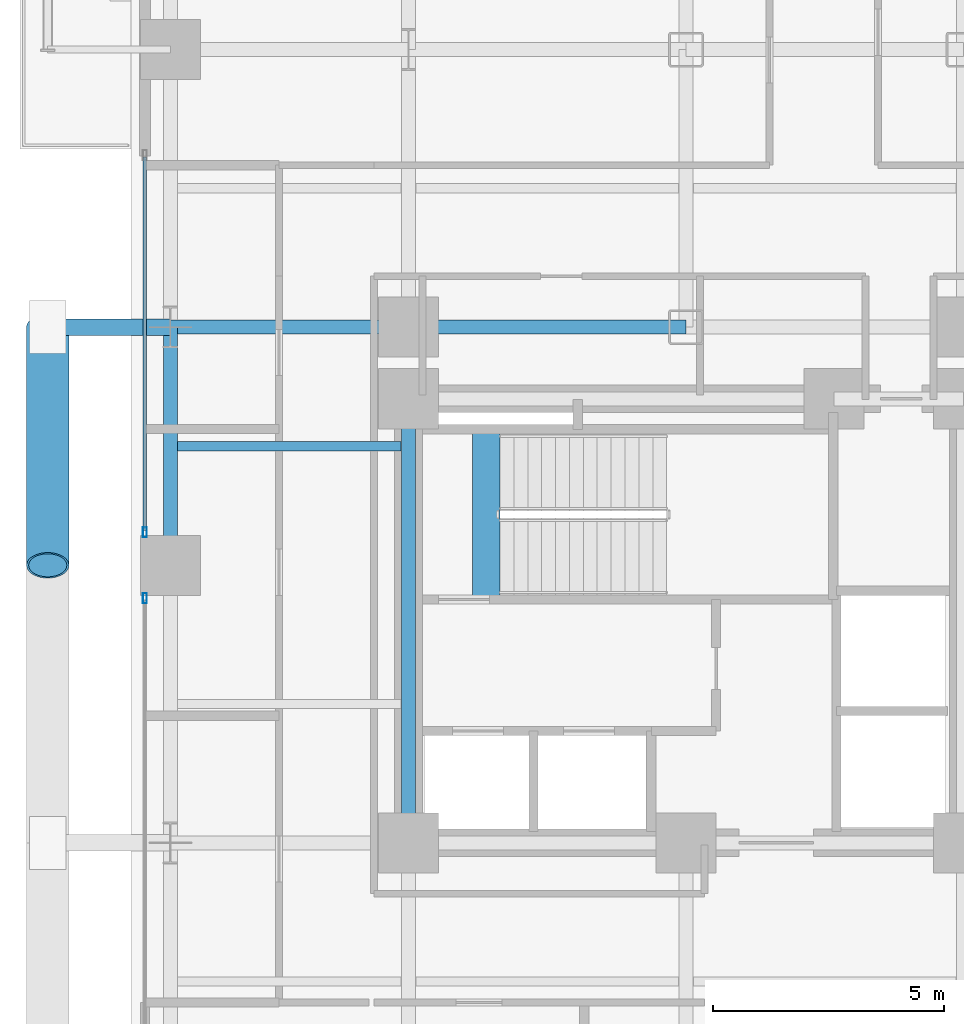
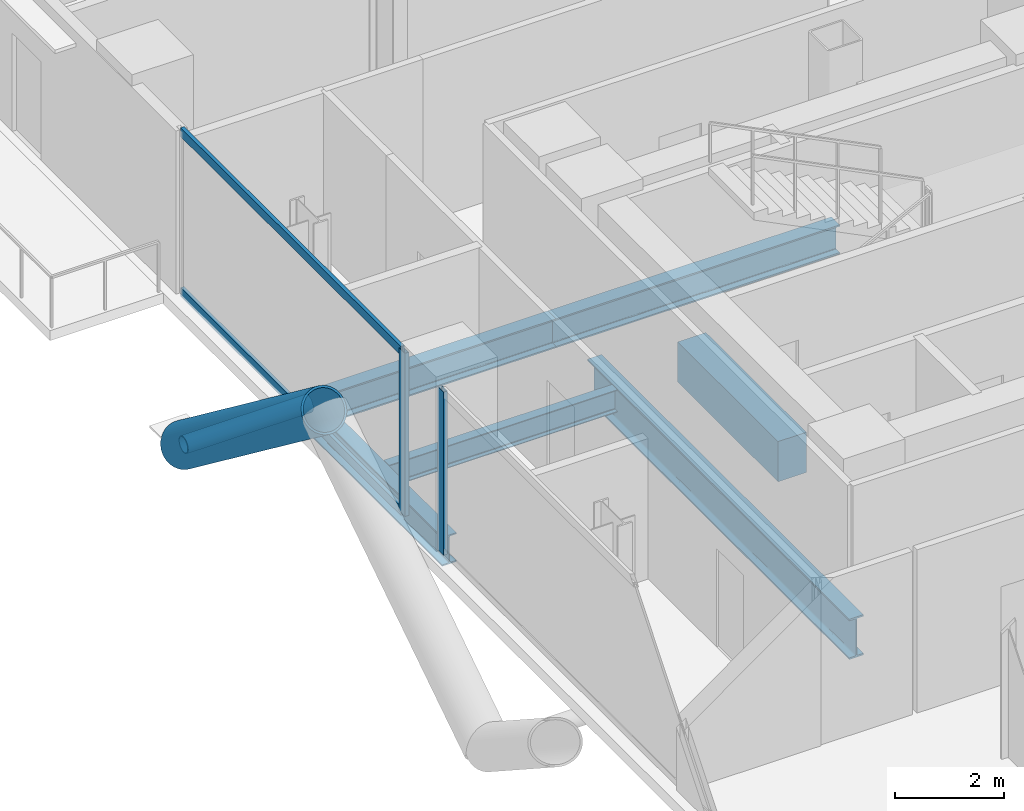
# One storey, part 5 of 27: 6 beams, 6 members, 2 elements without a shape of their own.
"""IFC4 building model written with IfcOpenShell, lengths in metres."""

from ifc_helpers import new_model, si_unit, direction, frame, origin, origin_2d, place, context, subcontext, project, spatial, rectangle, hollow_rectangle, hollow_circle, i_section, extrude, material, layer, layer_set, material_profile, profile_set, type_object, element, aggregate, save


model = new_model("IFC4")

# Units and contexts
model_context = context("Model", 3, precision=1e-05, world=origin(), true_north=direction((0.0, 1.0)))
body_context = subcontext(model_context, "Body", "Model", "MODEL_VIEW")
ifc_project = project(units=[si_unit("LENGTHUNIT", "METRE"), si_unit("AREAUNIT", "SQUARE_METRE"), si_unit("VOLUMEUNIT", "CUBIC_METRE"), si_unit("PLANEANGLEUNIT", "RADIAN"), si_unit("MASSUNIT", "GRAM", prefix="KILO"), si_unit("THERMODYNAMICTEMPERATUREUNIT", "KELVIN"), si_unit("POWERUNIT", "WATT")], contexts=[model_context])

# Site, building, storey
site_placement = place(None, origin())
site = spatial("IfcSite", under=ifc_project, at=site_placement, CompositionType="ELEMENT")
building_placement = place(site_placement, origin())
building = spatial("IfcBuilding", under=site, at=building_placement, Name="Svarakhadi Broadcast Tower", CompositionType="ELEMENT")
storey_placement = place(building_placement, frame((0.0, 0.0, 71.39990234375)))
storey = spatial("IfcBuildingStorey", under=building, at=storey_placement, Name="L16", CompositionType="ELEMENT", Elevation=71.39990234375)

# Beam
ifc_material_1 = material(Name="Steel S355J2 (IS 2062 E350C)", Category="steel")
ifc_material_profile_1 = material_profile(ifc_material_1, i_section(OverallWidth=0.199951171875, OverallDepth=0.5, WebThickness=0.01025390625, FlangeThickness=0.01611328125, FilletRadius=0.02099609375, at=origin_2d()), Name="NPB 500x200x91")
ifc_profile_set_1 = profile_set([ifc_material_profile_1], Name="Steel S355J2 (IS 2062 E350C)")
beam_type_1 = type_object("IfcBeamType", Name="Beam_NPB500", PredefinedType="BEAM", material=ifc_profile_set_1)
beam_1_placement = place(storey_placement, frame((1.010009765625, 26.574951171875, -0.5), z_axis=(1.0, 0.0, 0.0), x_axis=(0.0, 1.0, 0.0)))
element("IfcBeam", 1, at=beam_1_placement, inside=storey, type_object=beam_type_1, Name="L16 Secondary Composite Beam SB004", PredefinedType="BEAM", context=body_context, shape_type="SweptSolid", body=[
    extrude(i_section(OverallWidth=0.199951171875, OverallDepth=0.5, WebThickness=0.01025390625, FlangeThickness=0.01611328125, FilletRadius=0.02099609375, at=origin_2d()), origin(), (0.0, 0.0, 1.0), 4.830078125),
])

# Curtain wall, member
ifc_material_2 = material(Name="Anodised Bronze Aluminium AA 6063-T6", Category="aluminium")
ifc_layer = layer(ifc_material_2, 0.219970703125)
ifc_layer_set = layer_set([ifc_layer], Name="Anodised Bronze Aluminium AA 6063-T6")
curtain_wall_type = type_object("IfcCurtainWallType", Name="CW_Sys_02", PredefinedType="NOTDEFINED", material=ifc_layer_set)
curtain_wall_1_placement = place(storey_placement, origin())
curtain_wall_1 = element("IfcCurtainWall", 2, at=curtain_wall_1_placement, inside=storey, type_object=curtain_wall_type, Name="L16 West Curtain Wall 02 Bay 2", PredefinedType="NOTDEFINED")
ifc_material_profile_2 = material_profile(ifc_material_2, hollow_rectangle(XDim=0.0849609375, YDim=0.219970703125, WallThickness=0.006103515625, at=origin_2d()), Name="ALU MULLION 220x85x6")
ifc_profile_set_2 = profile_set([ifc_material_profile_2], Name="Anodised Bronze Aluminium AA 6063-T6")
member_type_1 = type_object("IfcMemberType", Name="CW_Sys_02_Mul", PredefinedType="MULLION", material=ifc_profile_set_2)
member_1_placement = place(storey_placement, frame((0.300048828125, 23.28759765625, 0.0), z_axis=(0.0, 0.0, 1.0), x_axis=(-1.0, 0.0, 0.0)))
member_1 = element("IfcMember", 3, at=member_1_placement, type_object=member_type_1, Name="CW-02 mullion 2", PredefinedType="MULLION", context=body_context, shape_type="SweptSolid", body=[
    extrude(hollow_rectangle(XDim=0.0849609375, YDim=0.219970703125, WallThickness=0.006103515625, at=origin_2d()), origin(), (0.0, 0.0, 1.0), 3.650146484375),
])
aggregate(curtain_wall_1, [member_1])

# Curtain wall, members
curtain_wall_2_placement = place(storey_placement, origin())
curtain_wall_2 = element("IfcCurtainWall", 4, at=curtain_wall_2_placement, inside=storey, type_object=curtain_wall_type, Name="L16 West Curtain Wall 02 Bay 3", PredefinedType="NOTDEFINED")
member_2_placement = place(storey_placement, frame((0.300048828125, 24.71240234375, 0.0), z_axis=(0.0, 0.0, 1.0), x_axis=(-1.0, 0.0, 0.0)))
member_2 = element("IfcMember", 5, at=member_2_placement, type_object=member_type_1, Name="CW-02 mullion 1", PredefinedType="MULLION", context=body_context, shape_type="SweptSolid", body=[
    extrude(hollow_rectangle(XDim=0.0849609375, YDim=0.219970703125, WallThickness=0.006103515625, at=origin_2d()), origin(), (0.0, 0.0, 1.0), 3.650146484375),
])
ifc_material_profile_3 = material_profile(ifc_material_2, hollow_rectangle(XDim=0.074951171875, YDim=0.199951171875, WallThickness=0.0048828125, at=origin_2d()), Name="ALU TRANSOM 200x75x5")
ifc_profile_set_3 = profile_set([ifc_material_profile_3], Name="Anodised Bronze Aluminium AA 6063-T6")
member_type_2 = type_object("IfcMemberType", Name="CW_Sys_02_Trn", PredefinedType="USERDEFINED", material=ifc_profile_set_3)
member_3_placement = place(storey_placement, frame((0.300048828125, 24.7548828125, 0.03759765625), z_axis=(0.0, 1.0, 0.0), x_axis=(-1.0, 0.0, 0.0)))
member_3 = element("IfcMember", 6, at=member_3_placement, type_object=member_type_2, Name="CW-02 transom 1.1", ObjectType="TRANSOM", PredefinedType="USERDEFINED", context=body_context, shape_type="SweptSolid", body=[
    extrude(hollow_rectangle(XDim=0.074951171875, YDim=0.199951171875, WallThickness=0.0048828125, at=origin_2d()), origin(), (0.0, 0.0, 1.0), 8.070068359375),
])
member_4_placement = place(storey_placement, frame((0.300048828125, 24.7548828125, 3.612548828125), z_axis=(0.0, 1.0, 0.0), x_axis=(-1.0, 0.0, 0.0)))
member_4 = element("IfcMember", 7, at=member_4_placement, type_object=member_type_2, Name="CW-02 transom 1.2", ObjectType="TRANSOM", PredefinedType="USERDEFINED", context=body_context, shape_type="SweptSolid", body=[
    extrude(hollow_rectangle(XDim=0.074951171875, YDim=0.199951171875, WallThickness=0.0048828125, at=origin_2d()), origin(), (0.0, 0.0, 1.0), 8.070068359375),
])
aggregate(curtain_wall_2, [member_2, member_3, member_4])

# Beam
ifc_material_3 = material(Name="Concrete C50/60 (IS 456 M60)", Category="concrete")
ifc_material_profile_4 = material_profile(ifc_material_3, rectangle(XDim=0.60009765625, YDim=0.89990234375, at=origin_2d()), Name="RC 600x900")
ifc_profile_set_4 = profile_set([ifc_material_profile_4], Name="Concrete C50/60 (IS 456 M60)")
beam_type_2 = type_object("IfcBeamType", Name="Coupling_RC600", PredefinedType="USERDEFINED", material=ifc_profile_set_4)
beam_2_placement = place(storey_placement, frame((7.679931640625, 23.260009765625, -0.449951171875), z_axis=(0.0, 1.0, 0.0), x_axis=(-1.0, 0.0, 0.0)))
element("IfcBeam", 8, at=beam_2_placement, inside=storey, type_object=beam_type_2, Name="L16 Stair ST-01 Landing Throat Trimmer Beam CB-01", ObjectType="GIRDER", PredefinedType="USERDEFINED", context=body_context, shape_type="SweptSolid", body=[
    extrude(rectangle(XDim=0.60009765625, YDim=0.89990234375, at=origin_2d()), origin(), (0.0, 0.0, 1.0), 3.679931640625),
])

# Members
ifc_material_4 = material(Name="Steel S460ML (IS 2062 E450BR)", Category="steel")
ifc_material_profile_5 = material_profile(ifc_material_4, hollow_circle(Radius=0.45703125, WallThickness=0.044921875, at=origin_2d()), Name="CHS 914x45")
ifc_profile_set_5 = profile_set([ifc_material_profile_5], Name="Steel S460ML (IS 2062 E450BR)")
member_type_3 = type_object("IfcMemberType", Name="Exo_Brace_CHS914", PredefinedType="BRACE", material=ifc_profile_set_5)
member_5_placement = place(storey_placement, frame((-1.800048828125, 29.14990234375, -0.427734375), z_axis=(0.0, -0.797188602897, 0.603730346605), x_axis=(1.0, 0.0, 0.0)))
element("IfcMember", 9, at=member_5_placement, inside=storey, type_object=member_type_3, Name="L16 Exposed Bronze Exoskeleton Diagonal W09", PredefinedType="BRACE", context=body_context, shape_type="SweptSolid", body=[
    extrude(hollow_circle(Radius=0.45703125, WallThickness=0.044921875, at=origin_2d()), origin(), (0.0, 0.0, 1.0), 6.4599609375),
])
ifc_material_profile_6 = material_profile(ifc_material_4, hollow_circle(Radius=0.177734375, WallThickness=0.02001953125, at=origin_2d()), Name="CHS 355.6x20")
ifc_profile_set_6 = profile_set([ifc_material_profile_6], Name="Steel S460ML (IS 2062 E450BR)")
member_type_4 = type_object("IfcMemberType", Name="Exo_Radial_Strut_Z1", PredefinedType="STRUT", material=ifc_profile_set_6)
member_6_placement = place(storey_placement, frame((-1.800048828125, 29.14990234375, -0.427734375), z_axis=(1.0, 0.0, 0.0), x_axis=(0.0, 1.0, 0.0)))
element("IfcMember", 10, at=member_6_placement, inside=storey, type_object=member_type_4, Name="L16 Exoskeleton Radial Tie Strut W07", PredefinedType="STRUT", context=body_context, shape_type="SweptSolid", body=[
    extrude(hollow_circle(Radius=0.177734375, WallThickness=0.02001953125, at=origin_2d()), origin(), (0.0, 0.0, 1.0), 2.650146484375),
])

# Beams
ifc_material_profile_7 = material_profile(ifc_material_1, i_section(OverallWidth=0.300048828125, OverallDepth=0.64990234375, WebThickness=0.01611328125, FlangeThickness=0.031005859375, FilletRadius=0.027099609375, at=origin_2d()), Name="WPB 650x300x225")
ifc_profile_set_7 = profile_set([ifc_material_profile_7], Name="Steel S355J2 (IS 2062 E350C)")
beam_type_3 = type_object("IfcBeamType", Name="Girder_WPB650", PredefinedType="USERDEFINED", material=ifc_profile_set_7)
beam_3_placement = place(storey_placement, frame((0.85009765625, 29.14990234375, -0.574951171875), z_axis=(1.0, 0.0, 0.0), x_axis=(0.0, 1.0, 0.0)))
element("IfcBeam", 11, at=beam_3_placement, inside=storey, type_object=beam_type_3, Name="L16 Primary E-W Girder G034", ObjectType="GIRDER", PredefinedType="USERDEFINED", context=body_context, shape_type="SweptSolid", body=[
    extrude(i_section(OverallWidth=0.300048828125, OverallDepth=0.64990234375, WebThickness=0.01611328125, FlangeThickness=0.031005859375, FilletRadius=0.027099609375, at=origin_2d()), origin(), (0.0, 0.0, 1.0), 5.14990234375),
])
beam_4_placement = place(storey_placement, frame((6.0, 29.14990234375, -0.574951171875), z_axis=(1.0, 0.0, 0.0), x_axis=(0.0, 1.0, 0.0)))
element("IfcBeam", 12, at=beam_4_placement, inside=storey, type_object=beam_type_3, Name="L16 Primary E-W Girder G035", ObjectType="GIRDER", PredefinedType="USERDEFINED", context=body_context, shape_type="SweptSolid", body=[
    extrude(i_section(OverallWidth=0.300048828125, OverallDepth=0.64990234375, WebThickness=0.01611328125, FlangeThickness=0.031005859375, FilletRadius=0.027099609375, at=origin_2d()), origin(), (0.0, 0.0, 1.0), 6.0),
])
beam_5_placement = place(storey_placement, frame((0.85009765625, 24.0, -0.574951171875), z_axis=(0.0, 1.0, 0.0), x_axis=(-1.0, 0.0, 0.0)))
element("IfcBeam", 13, at=beam_5_placement, inside=storey, type_object=beam_type_3, Name="L16 Primary N-S Girder G048", ObjectType="GIRDER", PredefinedType="USERDEFINED", context=body_context, shape_type="SweptSolid", body=[
    extrude(i_section(OverallWidth=0.300048828125, OverallDepth=0.64990234375, WebThickness=0.01611328125, FlangeThickness=0.031005859375, FilletRadius=0.027099609375, at=origin_2d()), origin(), (0.0, 0.0, 1.0), 5.14990234375),
])
ifc_material_profile_8 = material_profile(ifc_material_4, i_section(OverallWidth=0.300048828125, OverallDepth=0.89990234375, WebThickness=0.0185546875, FlangeThickness=0.034912109375, FilletRadius=0.030029296875, at=origin_2d()), Name="WPB 900x300x291")
ifc_profile_set_8 = profile_set([ifc_material_profile_8], Name="Steel S460ML (IS 2062 E450BR)")
beam_type_4 = type_object("IfcBeamType", Name="Girder_WPB900", PredefinedType="USERDEFINED", material=ifc_profile_set_8)
beam_6_placement = place(storey_placement, frame((6.0, 18.0, -0.699951171875), z_axis=(0.0, 1.0, 0.0), x_axis=(-1.0, 0.0, 0.0)))
element("IfcBeam", 14, at=beam_6_placement, inside=storey, type_object=beam_type_4, Name="L16 Primary N-S Girder G054", ObjectType="GIRDER", PredefinedType="USERDEFINED", context=body_context, shape_type="SweptSolid", body=[
    extrude(i_section(OverallWidth=0.300048828125, OverallDepth=0.89990234375, WebThickness=0.0185546875, FlangeThickness=0.034912109375, FilletRadius=0.030029296875, at=origin_2d()), origin(), (0.0, 0.0, 1.0), 9.60009765625),
])

save(model, "model.ifc")
